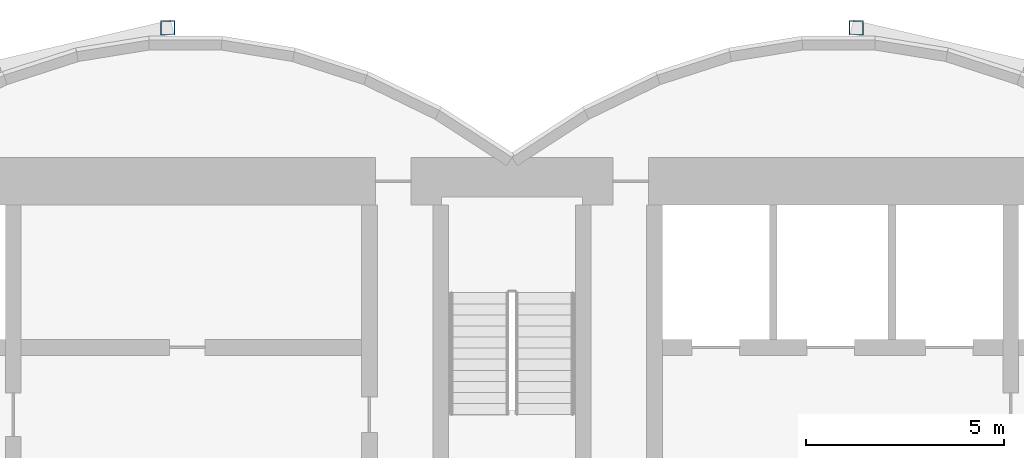
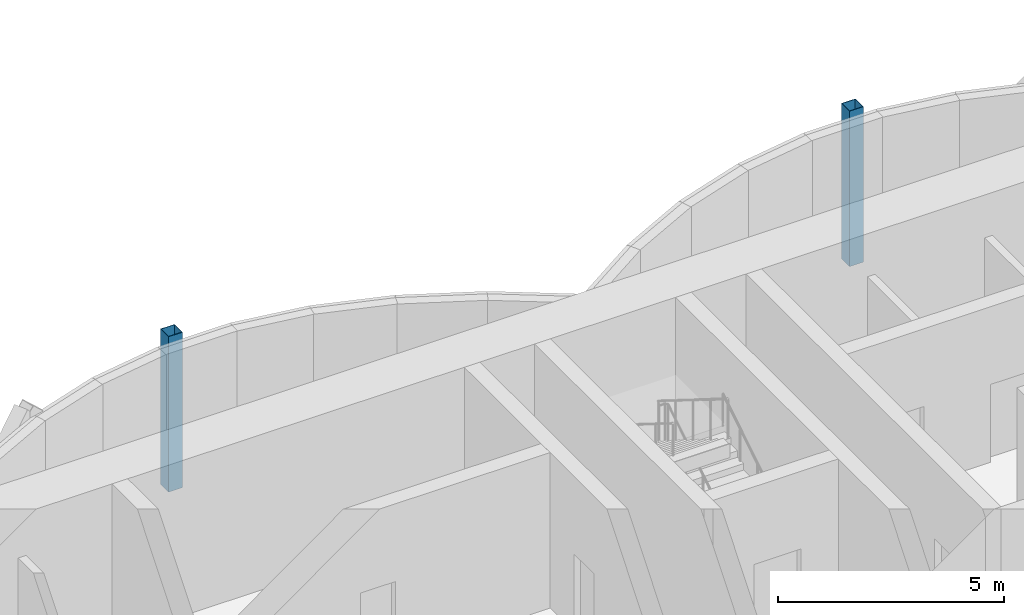
# One storey, part 3 of 19: 2 columns.
"""IFC4 building model written with IfcOpenShell, lengths in metres."""

from ifc_helpers import new_model, si_unit, direction, frame, origin, origin_2d, place, context, subcontext, project, spatial, hollow_rectangle, extrude, material, material_profile, profile_set, type_object, element, save


model = new_model("IFC4")

# Units and contexts
model_context = context("Model", 3, precision=1e-05, world=origin(), true_north=direction((0.0, 1.0)))
body_context = subcontext(model_context, "Body", "Model", "MODEL_VIEW")
ifc_project = project(units=[si_unit("LENGTHUNIT", "METRE"), si_unit("AREAUNIT", "SQUARE_METRE"), si_unit("VOLUMEUNIT", "CUBIC_METRE"), si_unit("PLANEANGLEUNIT", "RADIAN"), si_unit("MASSUNIT", "GRAM", prefix="KILO")], contexts=[model_context])

# Site, building, storey
site_placement = place(None, origin())
site = spatial("IfcSite", under=ifc_project, at=site_placement, CompositionType="ELEMENT")
building_placement = place(site_placement, origin())
building = spatial("IfcBuilding", under=site, at=building_placement, Name="Bicima Exchange Tower", CompositionType="ELEMENT")
storey_placement = place(building_placement, frame((0.0, 0.0, 279.199951171875)))
storey = spatial("IfcBuildingStorey", under=building, at=storey_placement, Name="L63", CompositionType="ELEMENT", Elevation=279.199951171875)

# Columns
ifc_material = material(Name="Steel ASTM A572 Gr 50", Category="steel")
ifc_material_profile = material_profile(ifc_material, hollow_rectangle(XDim=0.355712890625, YDim=0.355712890625, WallThickness=0.01171875, at=origin_2d()))
ifc_profile_set = profile_set([ifc_material_profile], Name="Steel ASTM A572 Gr 50")
column_type = type_object("IfcColumnType", Name="Rear pilaster HSS14x14x1/2", PredefinedType="COLUMN", material=ifc_profile_set)
for number, where, z_axis, x_axis, name in (
    (1, (-8.699951171875, 3.26904296875, 0.0), (0.0, 0.0, 1.0), (1.0, 0.0, 0.0), "Rear pilaster rexo-8.7r"),
    (2, (8.699951171875, 3.26904296875, 0.0), (0.0, 0.0, 1.0), (1.0, 0.0, 0.0), "Rear pilaster rexo+8.7r"),
):
    element("IfcColumn", number, at=place(storey_placement, frame(where, z_axis=z_axis, x_axis=x_axis)), inside=storey, type_object=column_type, Name=name, PredefinedType="COLUMN", context=body_context, shape_type="SweptSolid", body=[
        extrude(hollow_rectangle(XDim=0.355712890625, YDim=0.355712890625, WallThickness=0.01171875, at=origin_2d()), origin(), (0.0, 0.0, 1.0), 4.199951171875),
    ])

save(model, "model.ifc")
